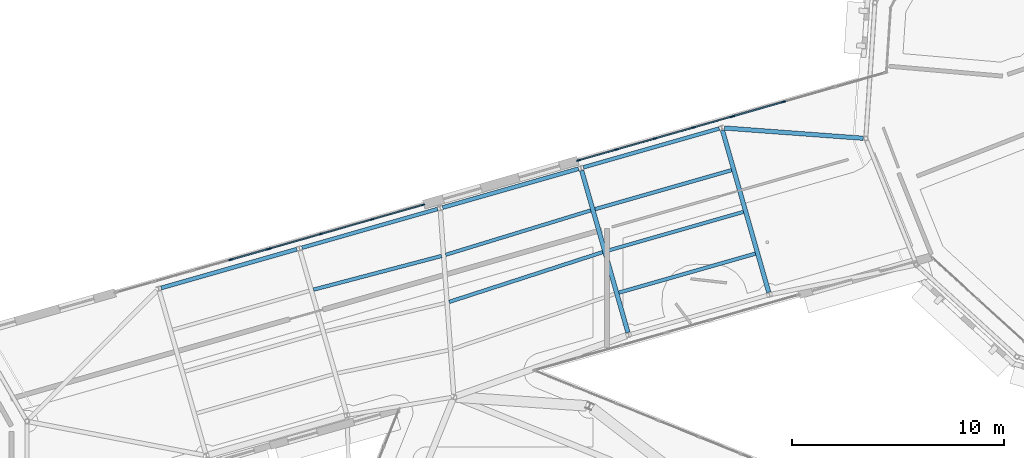
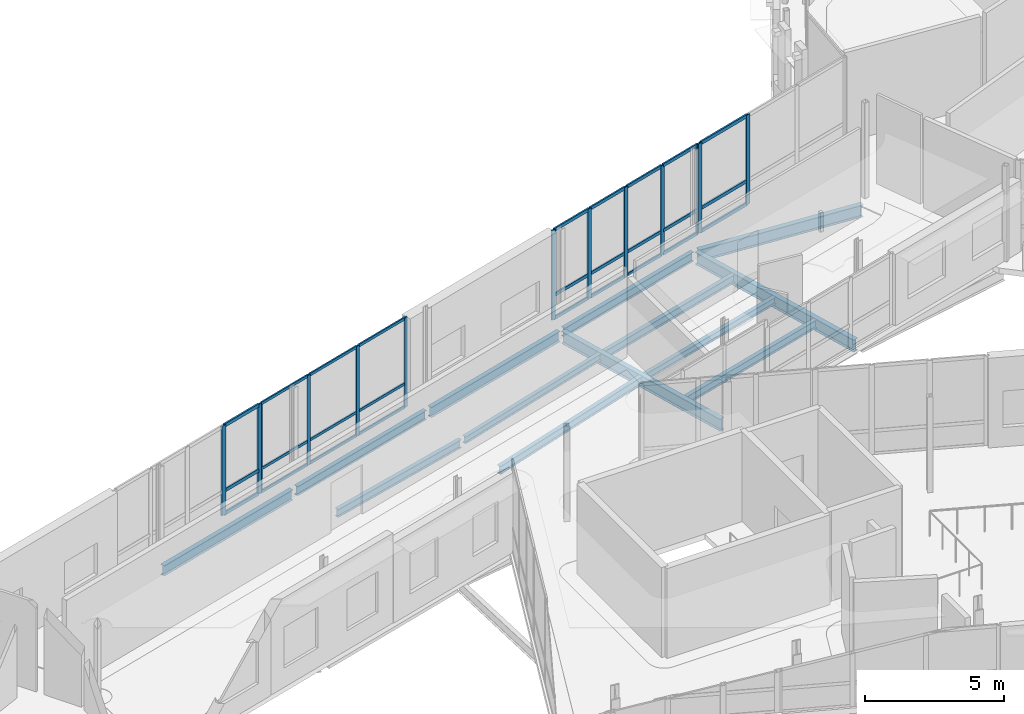
# One storey, part 46 of 125: 40 members, 13 beams, 4 elements without a shape of their own.
"""IFC4 building model written with IfcOpenShell, lengths in metres."""

from ifc_helpers import new_model, si_unit, direction, frame, origin, origin_2d, place, context, subcontext, project, spatial, rectangle, i_section, extrude, material, material_profile, profile_set, type_object, element, aggregate, save


model = new_model("IFC4")

# Units and contexts
model_context = context("Model", 3, precision=1e-05, world=origin(), true_north=direction((0.0, 1.0)))
body_context = subcontext(model_context, "Body", "Model", "MODEL_VIEW")
ifc_project = project(units=[si_unit("LENGTHUNIT", "METRE"), si_unit("AREAUNIT", "SQUARE_METRE"), si_unit("VOLUMEUNIT", "CUBIC_METRE"), si_unit("PLANEANGLEUNIT", "RADIAN"), si_unit("MASSUNIT", "GRAM", prefix="KILO")], contexts=[model_context])

# Site, building, storey
site_placement = place(None, origin())
site = spatial("IfcSite", under=ifc_project, at=site_placement, CompositionType="ELEMENT")
building_placement = place(site_placement, origin())
building = spatial("IfcBuilding", under=site, at=building_placement, Name="Wrenclough Park School", CompositionType="ELEMENT")
storey_placement = place(building_placement, frame((0.0, 0.0, 4.199951171875)))
storey = spatial("IfcBuildingStorey", under=building, at=storey_placement, Name="L01", CompositionType="ELEMENT", Elevation=4.199951171875)

# Curtain wall, members
ifc_material_1 = material(Name="Thermally broken aluminium and low-e glass curtain wall", Category="aluminium")
curtain_wall_type_1 = type_object("IfcCurtainWallType", Name="ENV-CW-04", PredefinedType="USERDEFINED", material=ifc_material_1)
curtain_wall_1_placement = place(storey_placement, origin())
curtain_wall_1 = element("IfcCurtainWall", 1, at=curtain_wall_1_placement, inside=storey, type_object=curtain_wall_type_1, Name="L01 recessed curtain wall assembly 099", ObjectType="CURTAIN WALL", PredefinedType="USERDEFINED")
ifc_material_2 = material(Name="Thermally broken anodised aluminium", Category="aluminium")
ifc_material_profile_1 = material_profile(ifc_material_2, rectangle(XDim=0.06005859375, YDim=0.159912109375, at=origin_2d()), Name="AL MULLION 60x160")
ifc_profile_set_1 = profile_set([ifc_material_profile_1], Name="Thermally broken anodised aluminium")
member_type_1 = type_object("IfcMemberType", Name="ENV-CWM-1", PredefinedType="MULLION", material=ifc_profile_set_1)
member_1_placement = place(storey_placement, frame((40.591552734375, 101.042724609375, 0.0), z_axis=(0.0, 0.0, 1.0), x_axis=(-0.274710655729, 0.961526939627, 0.0)))
member_1 = element("IfcMember", 2, at=member_1_placement, type_object=member_type_1, Name="CW-04 mullion 1", PredefinedType="MULLION", context=body_context, shape_type="SweptSolid", body=[
    extrude(rectangle(XDim=0.06005859375, YDim=0.159912109375, at=origin_2d()), origin(), (0.0, 0.0, 1.0), 3.93994140625),
])
member_2_placement = place(storey_placement, frame((42.98828125, 101.727294921875, 0.0), z_axis=(0.0, 0.0, 1.0), x_axis=(-0.274710655729, 0.961526939627, 0.0)))
member_2 = element("IfcMember", 3, at=member_2_placement, type_object=member_type_1, Name="CW-04 mullion 2", PredefinedType="MULLION", context=body_context, shape_type="SweptSolid", body=[
    extrude(rectangle(XDim=0.06005859375, YDim=0.159912109375, at=origin_2d()), origin(), (0.0, 0.0, 1.0), 3.93994140625),
])
member_3_placement = place(storey_placement, frame((45.41357421875, 102.420166015625, 0.0), z_axis=(0.0, 0.0, 1.0), x_axis=(-0.274710655729, 0.961526939627, 0.0)))
member_3 = element("IfcMember", 4, at=member_3_placement, type_object=member_type_1, Name="CW-04 mullion 3", PredefinedType="MULLION", context=body_context, shape_type="SweptSolid", body=[
    extrude(rectangle(XDim=0.06005859375, YDim=0.159912109375, at=origin_2d()), origin(), (0.0, 0.0, 1.0), 3.93994140625),
])
member_4_placement = place(storey_placement, frame((47.81005859375, 103.10498046875, 0.0), z_axis=(0.0, 0.0, 1.0), x_axis=(-0.274710655729, 0.961526939627, 0.0)))
member_4 = element("IfcMember", 5, at=member_4_placement, type_object=member_type_1, Name="CW-04 mullion 4", PredefinedType="MULLION", context=body_context, shape_type="SweptSolid", body=[
    extrude(rectangle(XDim=0.06005859375, YDim=0.159912109375, at=origin_2d()), origin(), (0.0, 0.0, 1.0), 3.93994140625),
])

curtain_wall_type_2 = type_object("IfcCurtainWallType", Name="ENV-CW-05", PredefinedType="USERDEFINED", material=ifc_material_1)
curtain_wall_2_placement = place(storey_placement, origin())
curtain_wall_2 = element("IfcCurtainWall", 6, at=curtain_wall_2_placement, inside=storey, type_object=curtain_wall_type_2, Name="L01 recessed curtain wall assembly 100", ObjectType="CURTAIN WALL", PredefinedType="USERDEFINED")
ifc_material_profile_2 = material_profile(ifc_material_2, rectangle(XDim=0.06494140625, YDim=0.179931640625, at=origin_2d()), Name="AL MULLION 65x180")
ifc_profile_set_2 = profile_set([ifc_material_profile_2], Name="Thermally broken anodised aluminium")
member_type_2 = type_object("IfcMemberType", Name="ENV-CWM-2", PredefinedType="MULLION", material=ifc_profile_set_2)
member_5_placement = place(storey_placement, frame((55.161376953125, 105.205322265625, 0.0), z_axis=(0.0, 0.0, 1.0), x_axis=(-0.274726364021, 0.96152245159, 0.0)))
member_5 = element("IfcMember", 7, at=member_5_placement, type_object=member_type_2, Name="CW-05 mullion 1", PredefinedType="MULLION", context=body_context, shape_type="SweptSolid", body=[
    extrude(rectangle(XDim=0.06494140625, YDim=0.179931640625, at=origin_2d()), origin(), (0.0, 0.0, 1.0), 3.93994140625),
])
member_6_placement = place(storey_placement, frame((56.94921875, 105.716064453125, 0.0), z_axis=(0.0, 0.0, 1.0), x_axis=(-0.274726364021, 0.96152245159, 0.0)))
member_6 = element("IfcMember", 8, at=member_6_placement, type_object=member_type_2, Name="CW-05 mullion 2", PredefinedType="MULLION", context=body_context, shape_type="SweptSolid", body=[
    extrude(rectangle(XDim=0.06494140625, YDim=0.179931640625, at=origin_2d()), origin(), (0.0, 0.0, 1.0), 3.93994140625),
])
member_7_placement = place(storey_placement, frame((58.76806640625, 106.23583984375, 0.0), z_axis=(0.0, 0.0, 1.0), x_axis=(-0.274726364021, 0.96152245159, 0.0)))
member_7 = element("IfcMember", 9, at=member_7_placement, type_object=member_type_2, Name="CW-05 mullion 3", PredefinedType="MULLION", context=body_context, shape_type="SweptSolid", body=[
    extrude(rectangle(XDim=0.06494140625, YDim=0.179931640625, at=origin_2d()), origin(), (0.0, 0.0, 1.0), 3.93994140625),
])
member_8_placement = place(storey_placement, frame((60.587158203125, 106.755615234375, 0.0), z_axis=(0.0, 0.0, 1.0), x_axis=(-0.274726364021, 0.96152245159, 0.0)))
member_8 = element("IfcMember", 10, at=member_8_placement, type_object=member_type_2, Name="CW-05 mullion 4", PredefinedType="MULLION", context=body_context, shape_type="SweptSolid", body=[
    extrude(rectangle(XDim=0.06494140625, YDim=0.179931640625, at=origin_2d()), origin(), (0.0, 0.0, 1.0), 3.93994140625),
])
member_9_placement = place(storey_placement, frame((62.374755859375, 107.266357421875, 0.0), z_axis=(0.0, 0.0, 1.0), x_axis=(-0.274726364021, 0.96152245159, 0.0)))
member_9 = element("IfcMember", 11, at=member_9_placement, type_object=member_type_2, Name="CW-05 mullion 5", PredefinedType="MULLION", context=body_context, shape_type="SweptSolid", body=[
    extrude(rectangle(XDim=0.06494140625, YDim=0.179931640625, at=origin_2d()), origin(), (0.0, 0.0, 1.0), 3.93994140625),
])

curtain_wall_type_3 = type_object("IfcCurtainWallType", Name="ENV-CW-03", PredefinedType="USERDEFINED", material=ifc_material_1)
curtain_wall_3_placement = place(storey_placement, origin())
curtain_wall_3 = element("IfcCurtainWall", 12, at=curtain_wall_3_placement, inside=storey, type_object=curtain_wall_type_3, Name="L01 recessed curtain wall assembly 098", ObjectType="CURTAIN WALL", PredefinedType="USERDEFINED")
ifc_material_profile_3 = material_profile(ifc_material_2, rectangle(XDim=0.070068359375, YDim=0.199951171875, at=origin_2d()), Name="AL MULLION 70x200")
ifc_profile_set_3 = profile_set([ifc_material_profile_3], Name="Thermally broken anodised aluminium")
member_type_3 = type_object("IfcMemberType", Name="ENV-CWM-3", PredefinedType="MULLION", material=ifc_profile_set_3)
member_10_placement = place(storey_placement, frame((38.736083984375, 100.512451171875, 0.0), z_axis=(0.0, 0.0, 1.0), x_axis=(-0.274726364021, 0.96152245159, 0.0)))
member_10 = element("IfcMember", 13, at=member_10_placement, type_object=member_type_3, Name="CW-03 mullion 4", PredefinedType="MULLION", context=body_context, shape_type="SweptSolid", body=[
    extrude(rectangle(XDim=0.070068359375, YDim=0.199951171875, at=origin_2d()), origin(), (0.0, 0.0, 1.0), 3.93994140625),
])
member_11_placement = place(storey_placement, frame((40.521484375, 101.022705078125, 0.0), z_axis=(0.0, 0.0, 1.0), x_axis=(-0.274726364021, 0.96152245159, 0.0)))
member_11 = element("IfcMember", 14, at=member_11_placement, type_object=member_type_3, Name="CW-03 mullion 5", PredefinedType="MULLION", context=body_context, shape_type="SweptSolid", body=[
    extrude(rectangle(XDim=0.070068359375, YDim=0.199951171875, at=origin_2d()), origin(), (0.0, 0.0, 1.0), 3.93994140625),
])

curtain_wall_type_4 = type_object("IfcCurtainWallType", Name="ENV-CW-06", PredefinedType="USERDEFINED", material=ifc_material_1)
curtain_wall_4_placement = place(storey_placement, origin())
curtain_wall_4 = element("IfcCurtainWall", 15, at=curtain_wall_4_placement, inside=storey, type_object=curtain_wall_type_4, Name="L01 recessed curtain wall assembly 101", ObjectType="CURTAIN WALL", PredefinedType="USERDEFINED")
member_12_placement = place(storey_placement, frame((62.447265625, 107.287109375, 0.0), z_axis=(0.0, 0.0, 1.0), x_axis=(-0.274714146361, 0.961525942338, 0.0)))
member_12 = element("IfcMember", 16, at=member_12_placement, type_object=member_type_3, Name="CW-06 mullion 1", PredefinedType="MULLION", context=body_context, shape_type="SweptSolid", body=[
    extrude(rectangle(XDim=0.070068359375, YDim=0.199951171875, at=origin_2d()), origin(), (0.0, 0.0, 1.0), 3.93994140625),
])
member_13_placement = place(storey_placement, frame((64.839111328125, 107.970458984375, 0.0), z_axis=(0.0, 0.0, 1.0), x_axis=(-0.274714146361, 0.961525942338, 0.0)))
member_13 = element("IfcMember", 17, at=member_13_placement, type_object=member_type_3, Name="CW-06 mullion 2", PredefinedType="MULLION", context=body_context, shape_type="SweptSolid", body=[
    extrude(rectangle(XDim=0.070068359375, YDim=0.199951171875, at=origin_2d()), origin(), (0.0, 0.0, 1.0), 3.93994140625),
])

# Member
ifc_material_profile_4 = material_profile(ifc_material_2, rectangle(XDim=0.06005859375, YDim=0.1201171875, at=origin_2d()), Name="AL TRANSOM 60x120")
ifc_profile_set_4 = profile_set([ifc_material_profile_4], Name="Thermally broken anodised aluminium")
member_type_4 = type_object("IfcMemberType", Name="ENV-CWT-1", PredefinedType="USERDEFINED", material=ifc_profile_set_4)
member_14_placement = place(storey_placement, frame((40.62060546875, 101.05078125, 0.030029296875), z_axis=(0.961520159703, 0.274734385333, 0.0), x_axis=(-0.274734385333, 0.961520159703, 0.0)))
member_14 = element("IfcMember", 18, at=member_14_placement, type_object=member_type_4, Name="CW-04 transom 1.1", ObjectType="TRANSOM", PredefinedType="USERDEFINED", context=body_context, shape_type="SweptSolid", body=[
    extrude(rectangle(XDim=0.06005859375, YDim=0.1201171875, at=origin_2d()), origin(), (0.0, 0.0, 1.0), 2.43212890625),
])

member_15_placement = place(storey_placement, frame((40.62060546875, 101.05078125, 1.050048828125), z_axis=(0.961520159703, 0.274734385333, 0.0), x_axis=(-0.274734385333, 0.961520159703, 0.0)))
member_15 = element("IfcMember", 19, at=member_15_placement, type_object=member_type_4, Name="CW-04 transom 1.2", ObjectType="TRANSOM", PredefinedType="USERDEFINED", context=body_context, shape_type="SweptSolid", body=[
    extrude(rectangle(XDim=0.06005859375, YDim=0.1201171875, at=origin_2d()), origin(), (0.0, 0.0, 1.0), 2.43212890625),
])

member_16_placement = place(storey_placement, frame((40.62060546875, 101.05078125, 3.91015625), z_axis=(0.961520159703, 0.274734385333, 0.0), x_axis=(-0.274734385333, 0.961520159703, 0.0)))
member_16 = element("IfcMember", 20, at=member_16_placement, type_object=member_type_4, Name="CW-04 transom 1.3", ObjectType="TRANSOM", PredefinedType="USERDEFINED", context=body_context, shape_type="SweptSolid", body=[
    extrude(rectangle(XDim=0.06005859375, YDim=0.1201171875, at=origin_2d()), origin(), (0.0, 0.0, 1.0), 2.43212890625),
])

member_17_placement = place(storey_placement, frame((43.01708984375, 101.735595703125, 0.030029296875), z_axis=(0.961520206184, 0.274734222658, 0.0), x_axis=(-0.274734222658, 0.961520206184, 0.0)))
member_17 = element("IfcMember", 21, at=member_17_placement, type_object=member_type_4, Name="CW-04 transom 2.1", ObjectType="TRANSOM", PredefinedType="USERDEFINED", context=body_context, shape_type="SweptSolid", body=[
    extrude(rectangle(XDim=0.06005859375, YDim=0.1201171875, at=origin_2d()), origin(), (0.0, 0.0, 1.0), 2.46240234375),
])

member_18_placement = place(storey_placement, frame((43.01708984375, 101.735595703125, 1.050048828125), z_axis=(0.961520206184, 0.274734222658, 0.0), x_axis=(-0.274734222658, 0.961520206184, 0.0)))
member_18 = element("IfcMember", 22, at=member_18_placement, type_object=member_type_4, Name="CW-04 transom 2.2", ObjectType="TRANSOM", PredefinedType="USERDEFINED", context=body_context, shape_type="SweptSolid", body=[
    extrude(rectangle(XDim=0.06005859375, YDim=0.1201171875, at=origin_2d()), origin(), (0.0, 0.0, 1.0), 2.46240234375),
])

member_19_placement = place(storey_placement, frame((43.01708984375, 101.735595703125, 3.91015625), z_axis=(0.961520206184, 0.274734222658, 0.0), x_axis=(-0.274734222658, 0.961520206184, 0.0)))
member_19 = element("IfcMember", 23, at=member_19_placement, type_object=member_type_4, Name="CW-04 transom 2.3", ObjectType="TRANSOM", PredefinedType="USERDEFINED", context=body_context, shape_type="SweptSolid", body=[
    extrude(rectangle(XDim=0.06005859375, YDim=0.1201171875, at=origin_2d()), origin(), (0.0, 0.0, 1.0), 2.46240234375),
])

member_20_placement = place(storey_placement, frame((45.4423828125, 102.428466796875, 0.030029296875), z_axis=(0.96152773503, 0.274707871689, 0.0), x_axis=(-0.274707871689, 0.96152773503, 0.0)))
member_20 = element("IfcMember", 24, at=member_20_placement, type_object=member_type_4, Name="CW-04 transom 3.1", ObjectType="TRANSOM", PredefinedType="USERDEFINED", context=body_context, shape_type="SweptSolid", body=[
    extrude(rectangle(XDim=0.06005859375, YDim=0.1201171875, at=origin_2d()), origin(), (0.0, 0.0, 1.0), 2.432373046875),
])

member_21_placement = place(storey_placement, frame((45.4423828125, 102.428466796875, 1.050048828125), z_axis=(0.96152773503, 0.274707871689, 0.0), x_axis=(-0.274707871689, 0.96152773503, 0.0)))
member_21 = element("IfcMember", 25, at=member_21_placement, type_object=member_type_4, Name="CW-04 transom 3.2", ObjectType="TRANSOM", PredefinedType="USERDEFINED", context=body_context, shape_type="SweptSolid", body=[
    extrude(rectangle(XDim=0.06005859375, YDim=0.1201171875, at=origin_2d()), origin(), (0.0, 0.0, 1.0), 2.432373046875),
])

member_22_placement = place(storey_placement, frame((45.4423828125, 102.428466796875, 3.91015625), z_axis=(0.96152773503, 0.274707871689, 0.0), x_axis=(-0.274707871689, 0.96152773503, 0.0)))
member_22 = element("IfcMember", 26, at=member_22_placement, type_object=member_type_4, Name="CW-04 transom 3.3", ObjectType="TRANSOM", PredefinedType="USERDEFINED", context=body_context, shape_type="SweptSolid", body=[
    extrude(rectangle(XDim=0.06005859375, YDim=0.1201171875, at=origin_2d()), origin(), (0.0, 0.0, 1.0), 2.432373046875),
])

aggregate(curtain_wall_1, [member_1, member_2, member_3, member_4, member_14, member_15, member_16, member_17, member_18, member_19, member_20, member_21, member_22])

ifc_material_profile_5 = material_profile(ifc_material_2, rectangle(XDim=0.06494140625, YDim=0.139892578125, at=origin_2d()), Name="AL TRANSOM 65x140")
ifc_profile_set_5 = profile_set([ifc_material_profile_5], Name="Thermally broken anodised aluminium")
member_type_5 = type_object("IfcMemberType", Name="ENV-CWT-2", PredefinedType="USERDEFINED", material=ifc_profile_set_5)
member_23_placement = place(storey_placement, frame((55.192626953125, 105.21435546875, 0.032470703125), z_axis=(0.961529081775, 0.27470315779, 0.0), x_axis=(-0.27470315779, 0.961529081775, 0.0)))
member_23 = element("IfcMember", 27, at=member_23_placement, type_object=member_type_5, Name="CW-05 transom 1.1", ObjectType="TRANSOM", PredefinedType="USERDEFINED", context=body_context, shape_type="SweptSolid", body=[
    extrude(rectangle(XDim=0.06494140625, YDim=0.139892578125, at=origin_2d()), origin(), (0.0, 0.0, 1.0), 1.79443359375),
])

member_24_placement = place(storey_placement, frame((55.192626953125, 105.21435546875, 1.050048828125), z_axis=(0.961529081775, 0.27470315779, 0.0), x_axis=(-0.27470315779, 0.961529081775, 0.0)))
member_24 = element("IfcMember", 28, at=member_24_placement, type_object=member_type_5, Name="CW-05 transom 1.2", ObjectType="TRANSOM", PredefinedType="USERDEFINED", context=body_context, shape_type="SweptSolid", body=[
    extrude(rectangle(XDim=0.06494140625, YDim=0.139892578125, at=origin_2d()), origin(), (0.0, 0.0, 1.0), 1.79443359375),
])

member_25_placement = place(storey_placement, frame((55.192626953125, 105.21435546875, 3.907470703125), z_axis=(0.961529081775, 0.27470315779, 0.0), x_axis=(-0.27470315779, 0.961529081775, 0.0)))
member_25 = element("IfcMember", 29, at=member_25_placement, type_object=member_type_5, Name="CW-05 transom 1.3", ObjectType="TRANSOM", PredefinedType="USERDEFINED", context=body_context, shape_type="SweptSolid", body=[
    extrude(rectangle(XDim=0.06494140625, YDim=0.139892578125, at=origin_2d()), origin(), (0.0, 0.0, 1.0), 1.79443359375),
])

member_26_placement = place(storey_placement, frame((56.98046875, 105.72509765625, 0.032470703125), z_axis=(0.961539077331, 0.274668168462, 0.0), x_axis=(-0.274668168462, 0.961539077331, 0.0)))
member_26 = element("IfcMember", 30, at=member_26_placement, type_object=member_type_5, Name="CW-05 transom 2.1", ObjectType="TRANSOM", PredefinedType="USERDEFINED", context=body_context, shape_type="SweptSolid", body=[
    extrude(rectangle(XDim=0.06494140625, YDim=0.139892578125, at=origin_2d()), origin(), (0.0, 0.0, 1.0), 1.82666015625),
])

member_27_placement = place(storey_placement, frame((56.98046875, 105.72509765625, 1.050048828125), z_axis=(0.961539077331, 0.274668168462, 0.0), x_axis=(-0.274668168462, 0.961539077331, 0.0)))
member_27 = element("IfcMember", 31, at=member_27_placement, type_object=member_type_5, Name="CW-05 transom 2.2", ObjectType="TRANSOM", PredefinedType="USERDEFINED", context=body_context, shape_type="SweptSolid", body=[
    extrude(rectangle(XDim=0.06494140625, YDim=0.139892578125, at=origin_2d()), origin(), (0.0, 0.0, 1.0), 1.82666015625),
])

member_28_placement = place(storey_placement, frame((56.98046875, 105.72509765625, 3.907470703125), z_axis=(0.961539077331, 0.274668168462, 0.0), x_axis=(-0.274668168462, 0.961539077331, 0.0)))
member_28 = element("IfcMember", 32, at=member_28_placement, type_object=member_type_5, Name="CW-05 transom 2.3", ObjectType="TRANSOM", PredefinedType="USERDEFINED", context=body_context, shape_type="SweptSolid", body=[
    extrude(rectangle(XDim=0.06494140625, YDim=0.139892578125, at=origin_2d()), origin(), (0.0, 0.0, 1.0), 1.82666015625),
])

member_29_placement = place(storey_placement, frame((58.79931640625, 106.244873046875, 0.032470703125), z_axis=(0.96154915893, 0.274632873051, 0.0), x_axis=(-0.274632873051, 0.96154915893, 0.0)))
member_29 = element("IfcMember", 33, at=member_29_placement, type_object=member_type_5, Name="CW-05 transom 3.1", ObjectType="TRANSOM", PredefinedType="USERDEFINED", context=body_context, shape_type="SweptSolid", body=[
    extrude(rectangle(XDim=0.06494140625, YDim=0.139892578125, at=origin_2d()), origin(), (0.0, 0.0, 1.0), 1.826904296875),
])

member_30_placement = place(storey_placement, frame((58.79931640625, 106.244873046875, 1.050048828125), z_axis=(0.96154915893, 0.274632873051, 0.0), x_axis=(-0.274632873051, 0.96154915893, 0.0)))
member_30 = element("IfcMember", 34, at=member_30_placement, type_object=member_type_5, Name="CW-05 transom 3.2", ObjectType="TRANSOM", PredefinedType="USERDEFINED", context=body_context, shape_type="SweptSolid", body=[
    extrude(rectangle(XDim=0.06494140625, YDim=0.139892578125, at=origin_2d()), origin(), (0.0, 0.0, 1.0), 1.826904296875),
])

member_31_placement = place(storey_placement, frame((58.79931640625, 106.244873046875, 3.907470703125), z_axis=(0.96154915893, 0.274632873051, 0.0), x_axis=(-0.274632873051, 0.96154915893, 0.0)))
member_31 = element("IfcMember", 35, at=member_31_placement, type_object=member_type_5, Name="CW-05 transom 3.3", ObjectType="TRANSOM", PredefinedType="USERDEFINED", context=body_context, shape_type="SweptSolid", body=[
    extrude(rectangle(XDim=0.06494140625, YDim=0.139892578125, at=origin_2d()), origin(), (0.0, 0.0, 1.0), 1.826904296875),
])

member_32_placement = place(storey_placement, frame((60.618408203125, 106.764404296875, 0.032470703125), z_axis=(0.961518812499, 0.27473910026, 0.0), x_axis=(-0.27473910026, 0.961518812499, 0.0)))
member_32 = element("IfcMember", 36, at=member_32_placement, type_object=member_type_5, Name="CW-05 transom 4.1", ObjectType="TRANSOM", PredefinedType="USERDEFINED", context=body_context, shape_type="SweptSolid", body=[
    extrude(rectangle(XDim=0.06494140625, YDim=0.139892578125, at=origin_2d()), origin(), (0.0, 0.0, 1.0), 1.794189453125),
])

member_33_placement = place(storey_placement, frame((60.618408203125, 106.764404296875, 1.050048828125), z_axis=(0.961518812499, 0.27473910026, 0.0), x_axis=(-0.27473910026, 0.961518812499, 0.0)))
member_33 = element("IfcMember", 37, at=member_33_placement, type_object=member_type_5, Name="CW-05 transom 4.2", ObjectType="TRANSOM", PredefinedType="USERDEFINED", context=body_context, shape_type="SweptSolid", body=[
    extrude(rectangle(XDim=0.06494140625, YDim=0.139892578125, at=origin_2d()), origin(), (0.0, 0.0, 1.0), 1.794189453125),
])

member_34_placement = place(storey_placement, frame((60.618408203125, 106.764404296875, 3.907470703125), z_axis=(0.961518812499, 0.27473910026, 0.0), x_axis=(-0.27473910026, 0.961518812499, 0.0)))
member_34 = element("IfcMember", 38, at=member_34_placement, type_object=member_type_5, Name="CW-05 transom 4.3", ObjectType="TRANSOM", PredefinedType="USERDEFINED", context=body_context, shape_type="SweptSolid", body=[
    extrude(rectangle(XDim=0.06494140625, YDim=0.139892578125, at=origin_2d()), origin(), (0.0, 0.0, 1.0), 1.794189453125),
])

aggregate(curtain_wall_2, [member_5, member_6, member_7, member_8, member_9, member_23, member_24, member_25, member_26, member_27, member_28, member_29, member_30, member_31, member_32, member_33, member_34])

ifc_material_profile_6 = material_profile(ifc_material_2, rectangle(XDim=0.070068359375, YDim=0.14990234375, at=origin_2d()), Name="AL TRANSOM 70x150")
ifc_profile_set_6 = profile_set([ifc_material_profile_6], Name="Thermally broken anodised aluminium")
member_type_6 = type_object("IfcMemberType", Name="ENV-CWT-3", PredefinedType="USERDEFINED", material=ifc_profile_set_6)
member_35_placement = place(storey_placement, frame((38.769775390625, 100.52197265625, 0.03515625), z_axis=(0.961508477875, 0.274775266308, 0.0), x_axis=(-0.274775266308, 0.961508477875, 0.0)))
member_35 = element("IfcMember", 39, at=member_35_placement, type_object=member_type_6, Name="CW-03 transom 4.1", ObjectType="TRANSOM", PredefinedType="USERDEFINED", context=body_context, shape_type="SweptSolid", body=[
    extrude(rectangle(XDim=0.070068359375, YDim=0.14990234375, at=origin_2d()), origin(), (0.0, 0.0, 1.0), 1.786865234375),
])

member_36_placement = place(storey_placement, frame((38.769775390625, 100.52197265625, 1.050048828125), z_axis=(0.961508477875, 0.274775266308, 0.0), x_axis=(-0.274775266308, 0.961508477875, 0.0)))
member_36 = element("IfcMember", 40, at=member_36_placement, type_object=member_type_6, Name="CW-03 transom 4.2", ObjectType="TRANSOM", PredefinedType="USERDEFINED", context=body_context, shape_type="SweptSolid", body=[
    extrude(rectangle(XDim=0.070068359375, YDim=0.14990234375, at=origin_2d()), origin(), (0.0, 0.0, 1.0), 1.786865234375),
])

member_37_placement = place(storey_placement, frame((38.769775390625, 100.52197265625, 3.905029296875), z_axis=(0.961508477875, 0.274775266308, 0.0), x_axis=(-0.274775266308, 0.961508477875, 0.0)))
member_37 = element("IfcMember", 41, at=member_37_placement, type_object=member_type_6, Name="CW-03 transom 4.3", ObjectType="TRANSOM", PredefinedType="USERDEFINED", context=body_context, shape_type="SweptSolid", body=[
    extrude(rectangle(XDim=0.070068359375, YDim=0.14990234375, at=origin_2d()), origin(), (0.0, 0.0, 1.0), 1.786865234375),
])

aggregate(curtain_wall_3, [member_10, member_11, member_35, member_36, member_37])

member_38_placement = place(storey_placement, frame((62.48095703125, 107.296630859375, 0.03515625), z_axis=(0.961504891025, 0.274787817296, 0.0), x_axis=(-0.274787817296, 0.961504891025, 0.0)))
member_38 = element("IfcMember", 42, at=member_38_placement, type_object=member_type_6, Name="CW-06 transom 1.1", ObjectType="TRANSOM", PredefinedType="USERDEFINED", context=body_context, shape_type="SweptSolid", body=[
    extrude(rectangle(XDim=0.070068359375, YDim=0.14990234375, at=origin_2d()), origin(), (0.0, 0.0, 1.0), 2.41748046875),
])

member_39_placement = place(storey_placement, frame((62.48095703125, 107.296630859375, 1.050048828125), z_axis=(0.961504891025, 0.274787817296, 0.0), x_axis=(-0.274787817296, 0.961504891025, 0.0)))
member_39 = element("IfcMember", 43, at=member_39_placement, type_object=member_type_6, Name="CW-06 transom 1.2", ObjectType="TRANSOM", PredefinedType="USERDEFINED", context=body_context, shape_type="SweptSolid", body=[
    extrude(rectangle(XDim=0.070068359375, YDim=0.14990234375, at=origin_2d()), origin(), (0.0, 0.0, 1.0), 2.41748046875),
])

member_40_placement = place(storey_placement, frame((62.48095703125, 107.296630859375, 3.905029296875), z_axis=(0.961504891025, 0.274787817296, 0.0), x_axis=(-0.274787817296, 0.961504891025, 0.0)))
member_40 = element("IfcMember", 44, at=member_40_placement, type_object=member_type_6, Name="CW-06 transom 1.3", ObjectType="TRANSOM", PredefinedType="USERDEFINED", context=body_context, shape_type="SweptSolid", body=[
    extrude(rectangle(XDim=0.070068359375, YDim=0.14990234375, at=origin_2d()), origin(), (0.0, 0.0, 1.0), 2.41748046875),
])

aggregate(curtain_wall_4, [member_12, member_13, member_38, member_39, member_40])

# Beams
ifc_material_3 = material(Name="Structural steel S355", Category="steel")
ifc_material_profile_7 = material_profile(ifc_material_3, i_section(OverallWidth=0.1650390625, OverallDepth=0.303466796875, WebThickness=0.006103515625, FlangeThickness=0.01025390625, FilletRadius=0.0087890625, at=origin_2d()), Name="UKB 305x165x40")
ifc_profile_set_7 = profile_set([ifc_material_profile_7], Name="Structural steel S355")
beam_type_1 = type_object("IfcBeamType", Name="STR-BM-UKB305", PredefinedType="JOIST", material=ifc_profile_set_7)
beam_1_placement = place(storey_placement, frame((48.885009765625, 100.744873046875, -0.3916015625), z_axis=(0.956269800781, 0.292486013537, 0.0), x_axis=(-0.292486013537, 0.956269800781, 0.0)))
element("IfcBeam", 45, at=beam_1_placement, inside=storey, type_object=beam_type_1, Name="W34 L01 secondary floor joist 0055", PredefinedType="JOIST", context=body_context, shape_type="SweptSolid", body=[
    extrude(i_section(OverallWidth=0.1650390625, OverallDepth=0.303466796875, WebThickness=0.006103515625, FlangeThickness=0.01025390625, FilletRadius=0.0087890625, at=origin_2d()), origin(), (0.0, 0.0, 1.0), 7.1650390625),
])
beam_2_placement = place(storey_placement, frame((56.50048828125, 100.9287109375, -0.3916015625), z_axis=(0.961525321241, 0.27471632025, 0.0), x_axis=(-0.27471632025, 0.961525321241, 0.0)))
element("IfcBeam", 46, at=beam_2_placement, inside=storey, type_object=beam_type_1, Name="W34 L01 secondary floor joist 0059", PredefinedType="JOIST", context=body_context, shape_type="SweptSolid", body=[
    extrude(i_section(OverallWidth=0.1650390625, OverallDepth=0.303466796875, WebThickness=0.006103515625, FlangeThickness=0.01025390625, FilletRadius=0.0087890625, at=origin_2d()), origin(), (0.0, 0.0, 1.0), 6.70703125),
])
ifc_material_profile_8 = material_profile(ifc_material_3, i_section(OverallWidth=0.17138671875, OverallDepth=0.35498046875, WebThickness=0.00732421875, FlangeThickness=0.011474609375, FilletRadius=0.01025390625, at=origin_2d()), Name="UKB 356x171x51")
ifc_profile_set_8 = profile_set([ifc_material_profile_8], Name="Structural steel S355")
beam_type_2 = type_object("IfcBeamType", Name="STR-BM-UKB356", PredefinedType="JOIST", material=ifc_profile_set_8)
beam_3_placement = place(storey_placement, frame((42.637939453125, 99.09765625, -0.41748046875), z_axis=(0.96711853554, 0.254326047064, 0.0), x_axis=(-0.254326047064, 0.96711853554, 0.0)))
element("IfcBeam", 47, at=beam_3_placement, inside=storey, type_object=beam_type_2, Name="W34 L01 secondary floor joist 0052", PredefinedType="JOIST", context=body_context, shape_type="SweptSolid", body=[
    extrude(i_section(OverallWidth=0.17138671875, OverallDepth=0.35498046875, WebThickness=0.00732421875, FlangeThickness=0.011474609375, FilletRadius=0.01025390625, at=origin_2d()), origin(), (0.0, 0.0, 1.0), 6.251220703125),
])
beam_4_placement = place(storey_placement, frame((49.0458984375, 98.518310546875, -0.41748046875), z_axis=(0.951344632527, 0.308128853182, 0.0), x_axis=(-0.308128853182, 0.951344632527, 0.0)))
element("IfcBeam", 48, at=beam_4_placement, inside=storey, type_object=beam_type_2, Name="W34 L01 secondary floor joist 0056", PredefinedType="JOIST", context=body_context, shape_type="SweptSolid", body=[
    extrude(i_section(OverallWidth=0.17138671875, OverallDepth=0.35498046875, WebThickness=0.00732421875, FlangeThickness=0.011474609375, FilletRadius=0.01025390625, at=origin_2d()), origin(), (0.0, 0.0, 1.0), 7.62548828125),
])
beam_5_placement = place(storey_placement, frame((55.9375, 102.89990234375, -0.41748046875), z_axis=(0.961522573968, 0.274725935706, 0.0), x_axis=(-0.274725935706, 0.961522573968, 0.0)))
element("IfcBeam", 49, at=beam_5_placement, inside=storey, type_object=beam_type_2, Name="W34 L01 secondary floor joist 0058", PredefinedType="JOIST", context=body_context, shape_type="SweptSolid", body=[
    extrude(i_section(OverallWidth=0.17138671875, OverallDepth=0.35498046875, WebThickness=0.00732421875, FlangeThickness=0.011474609375, FilletRadius=0.01025390625, at=origin_2d()), origin(), (0.0, 0.0, 1.0), 6.706787109375),
])
beam_6_placement = place(storey_placement, frame((57.063720703125, 98.95751953125, -0.41748046875), z_axis=(0.961515705616, 0.274749973348, 0.0), x_axis=(-0.274749973348, 0.961515705616, 0.0)))
element("IfcBeam", 50, at=beam_6_placement, inside=storey, type_object=beam_type_2, Name="W34 L01 secondary floor joist 0060", PredefinedType="JOIST", context=body_context, shape_type="SweptSolid", body=[
    extrude(i_section(OverallWidth=0.17138671875, OverallDepth=0.35498046875, WebThickness=0.00732421875, FlangeThickness=0.011474609375, FilletRadius=0.01025390625, at=origin_2d()), origin(), (0.0, 0.0, 1.0), 6.70703125),
])
ifc_material_profile_9 = material_profile(ifc_material_3, i_section(OverallWidth=0.177978515625, OverallDepth=0.406494140625, WebThickness=0.0078125, FlangeThickness=0.0126953125, FilletRadius=0.01025390625, at=origin_2d()), Name="UKB 406x178x60")
ifc_profile_set_9 = profile_set([ifc_material_profile_9], Name="Structural steel S355")
beam_type_3 = type_object("IfcBeamType", Name="STR-BM-UKB406", PredefinedType="BEAM", material=ifc_profile_set_9)
beam_7_placement = place(storey_placement, frame((42.091064453125, 101.07568359375, -0.443115234375), z_axis=(0.96151842397, 0.274740460008, 0.0), x_axis=(-0.274740460008, 0.96151842397, 0.0)))
element("IfcBeam", 51, at=beam_7_placement, inside=storey, type_object=beam_type_3, Name="W34 L01 longitudinal edge beam L2", PredefinedType="BEAM", context=body_context, shape_type="SweptSolid", body=[
    extrude(i_section(OverallWidth=0.177978515625, OverallDepth=0.406494140625, WebThickness=0.0078125, FlangeThickness=0.0126953125, FilletRadius=0.01025390625, at=origin_2d()), origin(), (0.0, 0.0, 1.0), 6.671875),
])
beam_8_placement = place(storey_placement, frame((55.39111328125, 104.875732421875, -0.443115234375), z_axis=(0.96152809018, 0.274706628596, 0.0), x_axis=(-0.274706628596, 0.96152809018, 0.0)))
element("IfcBeam", 52, at=beam_8_placement, inside=storey, type_object=beam_type_3, Name="W34 L01 longitudinal edge beam L4", PredefinedType="BEAM", context=body_context, shape_type="SweptSolid", body=[
    extrude(i_section(OverallWidth=0.177978515625, OverallDepth=0.406494140625, WebThickness=0.0078125, FlangeThickness=0.0126953125, FilletRadius=0.01025390625, at=origin_2d()), origin(), (0.0, 0.0, 1.0), 6.671630859375),
])
ifc_material_profile_10 = material_profile(ifc_material_3, i_section(OverallWidth=0.18994140625, OverallDepth=0.453369140625, WebThickness=0.008544921875, FlangeThickness=0.0126953125, FilletRadius=0.01025390625, at=origin_2d()), Name="UKB 457x191x67")
ifc_profile_set_10 = profile_set([ifc_material_profile_10], Name="Structural steel S355")
beam_type_4 = type_object("IfcBeamType", Name="STR-BM-UKB457A", PredefinedType="BEAM", material=ifc_profile_set_10)
beam_9_placement = place(storey_placement, frame((35.441162109375, 99.17578125, -0.466552734375), z_axis=(0.96152809018, 0.274706628596, 0.0), x_axis=(-0.274706628596, 0.96152809018, 0.0)))
element("IfcBeam", 53, at=beam_9_placement, inside=storey, type_object=beam_type_4, Name="W34 L01 longitudinal edge beam L1", PredefinedType="BEAM", context=body_context, shape_type="SweptSolid", body=[
    extrude(i_section(OverallWidth=0.18994140625, OverallDepth=0.453369140625, WebThickness=0.008544921875, FlangeThickness=0.0126953125, FilletRadius=0.01025390625, at=origin_2d()), origin(), (0.0, 0.0, 1.0), 6.671630859375),
])
beam_10_placement = place(storey_placement, frame((48.7412109375, 102.975830078125, -0.466552734375), z_axis=(0.96152532856, 0.274716294634, 0.0), x_axis=(-0.274716294634, 0.96152532856, 0.0)))
element("IfcBeam", 54, at=beam_10_placement, inside=storey, type_object=beam_type_4, Name="W34 L01 longitudinal edge beam L3", PredefinedType="BEAM", context=body_context, shape_type="SweptSolid", body=[
    extrude(i_section(OverallWidth=0.18994140625, OverallDepth=0.453369140625, WebThickness=0.008544921875, FlangeThickness=0.0126953125, FilletRadius=0.01025390625, at=origin_2d()), origin(), (0.0, 0.0, 1.0), 6.67138671875),
])
ifc_material_profile_11 = material_profile(ifc_material_3, i_section(OverallWidth=0.209228515625, OverallDepth=0.533203125, WebThickness=0.010009765625, FlangeThickness=0.015625, FilletRadius=0.0126953125, at=origin_2d()), Name="UKB 533x210x92")
ifc_profile_set_11 = profile_set([ifc_material_profile_11], Name="Structural steel S355")
beam_type_5 = type_object("IfcBeamType", Name="STR-BM-UKB533A", PredefinedType="BEAM", material=ifc_profile_set_11)
for number, where, z_axis, x_axis, name in (
    (55, (55.30712890625, 104.724609375, -0.506591796875), (0.274749499685, -0.961515840963, 0.0), (0.961515840963, 0.274749499685, 0.0), "W34 L01 transverse floor beam 4"),
    (56, (61.957275390625, 106.624755859375, -0.506591796875), (0.274721127897, -0.961523947641, 0.0), (0.961523947641, 0.274721127897, 0.0), "W34 L01 transverse floor beam 5"),
):
    element("IfcBeam", number, at=place(storey_placement, frame(where, z_axis=z_axis, x_axis=x_axis)), inside=storey, type_object=beam_type_5, Name=name, PredefinedType="BEAM", context=body_context, shape_type="SweptSolid", body=[
        extrude(i_section(OverallWidth=0.209228515625, OverallDepth=0.533203125, WebThickness=0.010009765625, FlangeThickness=0.015625, FilletRadius=0.0126953125, at=origin_2d()), origin(), (0.0, 0.0, 1.0), 7.95556640625),
    ])
beam_11_placement = place(storey_placement, frame((62.04541015625, 106.733154296875, -0.516357421875), z_axis=(0.997281907956, -0.073680364168, 0.0), x_axis=(0.073680364168, 0.997281907956, 0.0)))
element("IfcBeam", 57, at=beam_11_placement, inside=storey, type_object=beam_type_5, Name="W34 L01 drum junction tie beam 25", PredefinedType="BEAM", context=body_context, shape_type="SweptSolid", body=[
    extrude(i_section(OverallWidth=0.209228515625, OverallDepth=0.533203125, WebThickness=0.010009765625, FlangeThickness=0.015625, FilletRadius=0.0126953125, at=origin_2d()), origin(), (0.0, 0.0, 1.0), 6.58056640625),
])

save(model, "model.ifc")
